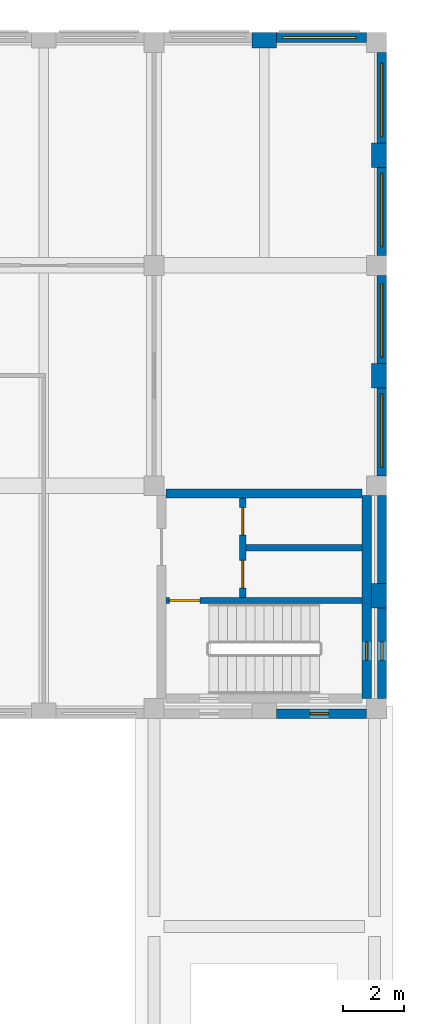
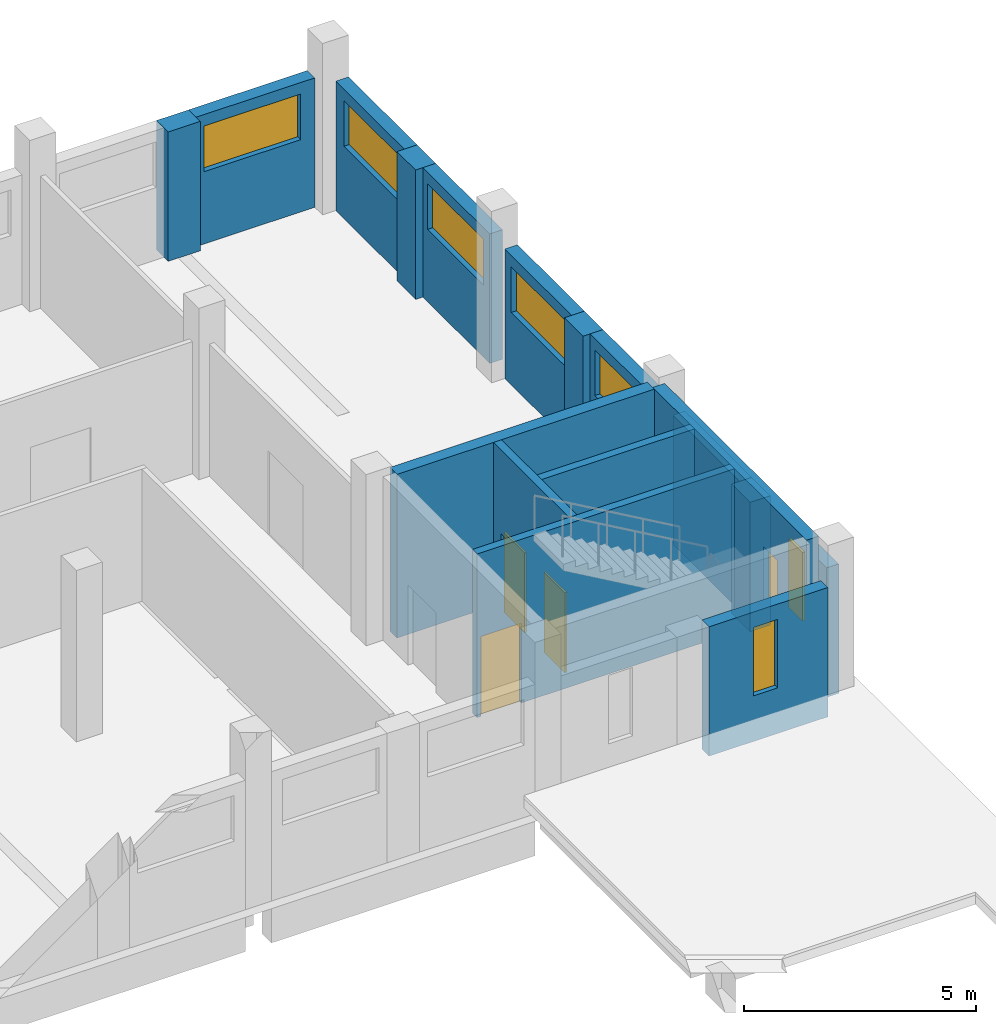
# One storey, part 32 of 59: 17 walls, 8 windows, 3 doors, 11 openings.
"""IFC4 building model written with IfcOpenShell, lengths in metres."""

from ifc_helpers import new_model, si_unit, direction, frame, frame_2d, origin, place, context, subcontext, project, spatial, rectangle, extrude, material, layer, layer_set, type_object, element, fill, save


model = new_model("IFC4")

# Units and contexts
model_context = context("Model", 3, precision=1e-05, world=origin(), true_north=direction((0.0, 1.0)))
body_context = subcontext(model_context, "Body", "Model", "MODEL_VIEW")
ifc_project = project(units=[si_unit("LENGTHUNIT", "METRE"), si_unit("AREAUNIT", "SQUARE_METRE"), si_unit("VOLUMEUNIT", "CUBIC_METRE"), si_unit("PLANEANGLEUNIT", "RADIAN"), si_unit("MASSUNIT", "GRAM", prefix="KILO")], contexts=[model_context])

# Site, building, storey
site_placement = place(None, origin())
site = spatial("IfcSite", under=ifc_project, at=site_placement, CompositionType="ELEMENT")
building_placement = place(site_placement, origin())
building = spatial("IfcBuilding", under=site, at=building_placement, Name="Ussher Court Research Institute", CompositionType="ELEMENT")
storey_placement = place(building_placement, frame((0.0, 0.0, 5.39990234375)))
storey = spatial("IfcBuildingStorey", under=building, at=storey_placement, Name="L01", CompositionType="ELEMENT", Elevation=5.39990234375)

# Wall, opening, window
ifc_material_1 = material(Name="Faience facing on insulated blockwork", Category="masonry")
ifc_layer_1 = layer(ifc_material_1, 0.320068359375)
ifc_layer_set_1 = layer_set([ifc_layer_1], Name="Faience facing on insulated blockwork")
wall_type_1 = type_object("IfcWallType", Name="Clean-room wall 320 faience faced insulated panel", PredefinedType="SOLIDWALL", material=ifc_layer_set_1)
wall_1_placement = place(storey_placement, frame((100.60009765625, 90.639892578125, 0.0), z_axis=(0.0, 0.0, 1.0), x_axis=(1.0, 0.0, 0.0)))
wall_1 = element("IfcWall", 1, at=wall_1_placement, inside=storey, type_object=wall_type_1, Name="External wall EW3 L01", PredefinedType="SOLIDWALL", context=body_context, shape_type="SweptSolid", body=[
    extrude(rectangle(XDim=2.949951171875, YDim=0.320068359375, at=frame_2d((1.47509765625, 0.0))), origin(), (0.0, 0.0, 1.0), 3.400146484375),
])
opening_1_placement = place(wall_1_placement, frame((0.199951171875, 0.0, 1.89990234375)))
opening_1 = element("IfcOpeningElement", 2, at=opening_1_placement, cuts=wall_1, Name="Opening W04", PredefinedType="OPENING", context=body_context, shape_type="SweptSolid", body=[
    extrude(rectangle(XDim=2.39990234375, YDim=1.199951171875, at=frame_2d((1.199951171875, 0.60009765625))), frame((0.0, 0.169921875, 0.0), z_axis=(0.0, -1.0, 0.0), x_axis=(1.0, 0.0, 0.0)), (0.0, 0.0, 1.0), 0.340087890625),
])
ifc_material_2 = material(Name="Bronze anodised aluminium with double glazing", Category="aluminium")
window_type_1 = type_object("IfcWindowType", Name="Clean-room clerestory window 2400x1200", PartitioningType="TRIPLE_PANEL_HORIZONTAL", PredefinedType="WINDOW", material=ifc_material_2)
window_1_placement = place(opening_1_placement, origin())
window_1 = element("IfcWindow", 3, at=window_1_placement, inside=storey, type_object=window_type_1, Name="Window W04 L01", OverallHeight=1.199951171875, OverallWidth=2.39990234375, PartitioningType="SINGLE_PANEL", PredefinedType="WINDOW", context=body_context, shape_type="SweptSolid", body=[
    extrude(rectangle(XDim=2.39990234375, YDim=1.199951171875, at=frame_2d((1.199951171875, 0.60009765625))), frame((0.0, 0.030029296875, 0.0), z_axis=(0.0, -1.0, 0.0), x_axis=(1.0, 0.0, 0.0)), (0.0, 0.0, 1.0), 0.06005859375),
])
fill(opening_1, window_1)

wall_2_placement = place(storey_placement, frame((104.0400390625, 90.14990234375, 0.0), z_axis=(0.0, 0.0, 1.0), x_axis=(0.0, -1.0, 0.0)))
wall_2 = element("IfcWall", 4, at=wall_2_placement, inside=storey, type_object=wall_type_1, Name="External wall EW3 L01", PredefinedType="SOLIDWALL", context=body_context, shape_type="SweptSolid", body=[
    extrude(rectangle(XDim=2.949951171875, YDim=0.320068359375, at=frame_2d((1.47509765625, 0.0))), origin(), (0.0, 0.0, 1.0), 3.400146484375),
])
opening_2_placement = place(wall_2_placement, frame((0.35009765625, 0.0, 1.89990234375)))
opening_2 = element("IfcOpeningElement", 5, at=opening_2_placement, cuts=wall_2, Name="Opening W04", PredefinedType="OPENING", context=body_context, shape_type="SweptSolid", body=[
    extrude(rectangle(XDim=2.39990234375, YDim=1.199951171875, at=frame_2d((1.199951171875, 0.60009765625))), frame((0.0, 0.169921875, 0.0), z_axis=(0.0, -1.0, 0.0), x_axis=(1.0, 0.0, 0.0)), (0.0, 0.0, 1.0), 0.340087890625),
])
window_2_placement = place(opening_2_placement, origin())
window_2 = element("IfcWindow", 6, at=window_2_placement, inside=storey, type_object=window_type_1, Name="Window W04 L01", OverallHeight=1.199951171875, OverallWidth=2.39990234375, PartitioningType="SINGLE_PANEL", PredefinedType="WINDOW", context=body_context, shape_type="SweptSolid", body=[
    extrude(rectangle(XDim=2.39990234375, YDim=1.199951171875, at=frame_2d((1.199951171875, 0.60009765625))), frame((0.0, 0.030029296875, 0.0), z_axis=(0.0, -1.0, 0.0), x_axis=(1.0, 0.0, 0.0)), (0.0, 0.0, 1.0), 0.06005859375),
])
fill(opening_2, window_2)

wall_3_placement = place(storey_placement, frame((104.0400390625, 86.39990234375, 0.0), z_axis=(0.0, 0.0, 1.0), x_axis=(0.0, -1.0, 0.0)))
wall_3 = element("IfcWall", 7, at=wall_3_placement, inside=storey, type_object=wall_type_1, Name="External wall EW3 L01", PredefinedType="SOLIDWALL", context=body_context, shape_type="SweptSolid", body=[
    extrude(rectangle(XDim=2.875, YDim=0.320068359375, at=frame_2d((1.4375, 0.0))), origin(), (0.0, 0.0, 1.0), 3.400146484375),
])
opening_3_placement = place(wall_3_placement, frame((0.199951171875, 0.0, 1.89990234375)))
opening_3 = element("IfcOpeningElement", 8, at=opening_3_placement, cuts=wall_3, Name="Opening W04", PredefinedType="OPENING", context=body_context, shape_type="SweptSolid", body=[
    extrude(rectangle(XDim=2.39990234375, YDim=1.199951171875, at=frame_2d((1.199951171875, 0.60009765625))), frame((0.0, 0.169921875, 0.0), z_axis=(0.0, -1.0, 0.0), x_axis=(1.0, 0.0, 0.0)), (0.0, 0.0, 1.0), 0.340087890625),
])
window_3_placement = place(opening_3_placement, origin())
window_3 = element("IfcWindow", 9, at=window_3_placement, inside=storey, type_object=window_type_1, Name="Window W04 L01", OverallHeight=1.199951171875, OverallWidth=2.39990234375, PartitioningType="SINGLE_PANEL", PredefinedType="WINDOW", context=body_context, shape_type="SweptSolid", body=[
    extrude(rectangle(XDim=2.39990234375, YDim=1.199951171875, at=frame_2d((1.199951171875, 0.60009765625))), frame((0.0, 0.030029296875, 0.0), z_axis=(0.0, -1.0, 0.0), x_axis=(1.0, 0.0, 0.0)), (0.0, 0.0, 1.0), 0.06005859375),
])
fill(opening_3, window_3)

wall_4_placement = place(storey_placement, frame((104.0400390625, 82.875, 0.0), z_axis=(0.0, 0.0, 1.0), x_axis=(0.0, -1.0, 0.0)))
wall_4 = element("IfcWall", 10, at=wall_4_placement, inside=storey, type_object=wall_type_1, Name="External wall EW3 L01", PredefinedType="SOLIDWALL", context=body_context, shape_type="SweptSolid", body=[
    extrude(rectangle(XDim=2.875, YDim=0.320068359375, at=frame_2d((1.4375, 0.0))), origin(), (0.0, 0.0, 1.0), 3.400146484375),
])
opening_4_placement = place(wall_4_placement, frame((0.27490234375, 0.0, 1.89990234375)))
opening_4 = element("IfcOpeningElement", 11, at=opening_4_placement, cuts=wall_4, Name="Opening W04", PredefinedType="OPENING", context=body_context, shape_type="SweptSolid", body=[
    extrude(rectangle(XDim=2.39990234375, YDim=1.199951171875, at=frame_2d((1.199951171875, 0.60009765625))), frame((0.0, 0.169921875, 0.0), z_axis=(0.0, -1.0, 0.0), x_axis=(1.0, 0.0, 0.0)), (0.0, 0.0, 1.0), 0.340087890625),
])
window_4_placement = place(opening_4_placement, origin())
window_4 = element("IfcWindow", 12, at=window_4_placement, inside=storey, type_object=window_type_1, Name="Window W04 L01", OverallHeight=1.199951171875, OverallWidth=2.39990234375, PartitioningType="SINGLE_PANEL", PredefinedType="WINDOW", context=body_context, shape_type="SweptSolid", body=[
    extrude(rectangle(XDim=2.39990234375, YDim=1.199951171875, at=frame_2d((1.199951171875, 0.60009765625))), frame((0.0, 0.030029296875, 0.0), z_axis=(0.0, -1.0, 0.0), x_axis=(1.0, 0.0, 0.0)), (0.0, 0.0, 1.0), 0.06005859375),
])
fill(opening_4, window_4)

wall_5_placement = place(storey_placement, frame((104.0400390625, 79.199951171875, 0.0), z_axis=(0.0, 0.0, 1.0), x_axis=(0.0, -1.0, 0.0)))
wall_5 = element("IfcWall", 13, at=wall_5_placement, inside=storey, type_object=wall_type_1, Name="External wall EW3 L01", PredefinedType="SOLIDWALL", context=body_context, shape_type="SweptSolid", body=[
    extrude(rectangle(XDim=2.875, YDim=0.320068359375, at=frame_2d((1.4375, 0.0))), origin(), (0.0, 0.0, 1.0), 3.400146484375),
])
opening_5_placement = place(wall_5_placement, frame((0.199951171875, 0.0, 1.89990234375)))
opening_5 = element("IfcOpeningElement", 14, at=opening_5_placement, cuts=wall_5, Name="Opening W04", PredefinedType="OPENING", context=body_context, shape_type="SweptSolid", body=[
    extrude(rectangle(XDim=2.39990234375, YDim=1.199951171875, at=frame_2d((1.199951171875, 0.60009765625))), frame((0.0, 0.169921875, 0.0), z_axis=(0.0, -1.0, 0.0), x_axis=(1.0, 0.0, 0.0)), (0.0, 0.0, 1.0), 0.340087890625),
])
window_5_placement = place(opening_5_placement, origin())
window_5 = element("IfcWindow", 15, at=window_5_placement, inside=storey, type_object=window_type_1, Name="Window W04 L01", OverallHeight=1.199951171875, OverallWidth=2.39990234375, PartitioningType="SINGLE_PANEL", PredefinedType="WINDOW", context=body_context, shape_type="SweptSolid", body=[
    extrude(rectangle(XDim=2.39990234375, YDim=1.199951171875, at=frame_2d((1.199951171875, 0.60009765625))), frame((0.0, 0.030029296875, 0.0), z_axis=(0.0, -1.0, 0.0), x_axis=(1.0, 0.0, 0.0)), (0.0, 0.0, 1.0), 0.06005859375),
])
fill(opening_5, window_5)

# Wall
ifc_material_3 = material(Name="Limestone facing on blockwork", Category="masonry")
ifc_layer_2 = layer(ifc_material_3, 0.300048828125)
ifc_layer_set_2 = layer_set([ifc_layer_2], Name="Limestone facing on blockwork")
wall_type_2 = type_object("IfcWallType", Name="External wall 300 stair enclosure", PredefinedType="SOLIDWALL", material=ifc_layer_set_2)
wall_6_placement = place(storey_placement, frame((104.050048828125, 75.675048828125, 0.0), z_axis=(0.0, 0.0, 1.0), x_axis=(0.0, -1.0, 0.0)))
element("IfcWall", 16, at=wall_6_placement, inside=storey, type_object=wall_type_2, Name="External wall EW5 L01", PredefinedType="SOLIDWALL", context=body_context, shape_type="SweptSolid", body=[
    extrude(rectangle(XDim=2.875, YDim=0.300048828125, at=frame_2d((1.4375, 0.0))), origin(), (0.0, 0.0, 1.0), 3.400146484375),
])

# Wall, opening, window
wall_7_placement = place(storey_placement, frame((104.050048828125, 72.0, 0.0), z_axis=(0.0, 0.0, 1.0), x_axis=(0.0, -1.0, 0.0)))
wall_7 = element("IfcWall", 17, at=wall_7_placement, inside=storey, type_object=wall_type_2, Name="External wall EW5 L01", PredefinedType="SOLIDWALL", context=body_context, shape_type="SweptSolid", body=[
    extrude(rectangle(XDim=2.949951171875, YDim=0.300048828125, at=frame_2d((1.47509765625, 0.0))), origin(), (0.0, 0.0, 1.0), 3.400146484375),
])
opening_6_placement = place(wall_7_placement, frame((1.10009765625, 0.0, 1.199951171875)))
opening_6 = element("IfcOpeningElement", 18, at=opening_6_placement, cuts=wall_7, Name="Opening W25", PredefinedType="OPENING", context=body_context, shape_type="SweptSolid", body=[
    extrude(rectangle(XDim=0.60009765625, YDim=1.800048828125, at=frame_2d((0.300048828125, 0.89990234375))), frame((0.0, 0.16015625, 0.0), z_axis=(0.0, -1.0, 0.0), x_axis=(1.0, 0.0, 0.0)), (0.0, 0.0, 1.0), 0.320068359375),
])
ifc_material_4 = material(Name="Bronze anodised aluminium with double glazing", Category="aluminium")
window_type_2 = type_object("IfcWindowType", Name="Stair light slot window 600x1800 fire-resisting glazing", PartitioningType="SINGLE_PANEL", PredefinedType="WINDOW", material=ifc_material_4)
window_6_placement = place(opening_6_placement, origin())
window_6 = element("IfcWindow", 19, at=window_6_placement, inside=storey, type_object=window_type_2, Name="Window W25 L01", OverallHeight=1.800048828125, OverallWidth=0.60009765625, PartitioningType="SINGLE_PANEL", PredefinedType="WINDOW", context=body_context, shape_type="SweptSolid", body=[
    extrude(rectangle(XDim=0.60009765625, YDim=1.800048828125, at=frame_2d((0.300048828125, 0.89990234375))), frame((0.0, 0.030029296875, 0.0), z_axis=(0.0, -1.0, 0.0), x_axis=(1.0, 0.0, 0.0)), (0.0, 0.0, 1.0), 0.06005859375),
])
fill(opening_6, window_6)

wall_8_placement = place(storey_placement, frame((103.550048828125, 68.550048828125, 0.0), z_axis=(0.0, 0.0, 1.0), x_axis=(-1.0, 0.0, 0.0)))
wall_8 = element("IfcWall", 20, at=wall_8_placement, inside=storey, type_object=wall_type_2, Name="External wall EW5 L01", PredefinedType="SOLIDWALL", context=body_context, shape_type="SweptSolid", body=[
    extrude(rectangle(XDim=2.949951171875, YDim=0.300048828125, at=frame_2d((1.47509765625, 0.0))), origin(), (0.0, 0.0, 1.0), 3.400146484375),
])
opening_7_placement = place(wall_8_placement, frame((1.25, 0.0, 1.199951171875)))
opening_7 = element("IfcOpeningElement", 21, at=opening_7_placement, cuts=wall_8, Name="Opening W25", PredefinedType="OPENING", context=body_context, shape_type="SweptSolid", body=[
    extrude(rectangle(XDim=0.60009765625, YDim=1.800048828125, at=frame_2d((0.300048828125, 0.89990234375))), frame((0.0, 0.16015625, 0.0), z_axis=(0.0, -1.0, 0.0), x_axis=(1.0, 0.0, 0.0)), (0.0, 0.0, 1.0), 0.320068359375),
])
window_7_placement = place(opening_7_placement, origin())
window_7 = element("IfcWindow", 22, at=window_7_placement, inside=storey, type_object=window_type_2, Name="Window W25 L01", OverallHeight=1.800048828125, OverallWidth=0.60009765625, PartitioningType="SINGLE_PANEL", PredefinedType="WINDOW", context=body_context, shape_type="SweptSolid", body=[
    extrude(rectangle(XDim=0.60009765625, YDim=1.800048828125, at=frame_2d((0.300048828125, 0.89990234375))), frame((0.0, 0.030029296875, 0.0), z_axis=(0.0, -1.0, 0.0), x_axis=(1.0, 0.0, 0.0)), (0.0, 0.0, 1.0), 0.06005859375),
])
fill(opening_7, window_7)

# Walls
ifc_material_5 = material(Name="Rusticated limestone facing on blockwork", Category="masonry")
ifc_layer_3 = layer(ifc_material_5, 0.5)
ifc_layer_set_3 = layer_set([ifc_layer_3], Name="Rusticated limestone facing on blockwork")
wall_type_3 = type_object("IfcWallType", Name="Pier 800x500 rusticated limestone", PredefinedType="SOLIDWALL", material=ifc_layer_set_3)
for number, where, z_axis, x_axis, name in (
    (23, (99.800048828125, 90.550048828125, 0.0), (0.0, 0.0, 1.0), (1.0, 0.0, 0.0), "Pier PR2 L01"),
    (24, (103.949951171875, 87.199951171875, 0.0), (0.0, 0.0, 1.0), (0.0, -1.0, 0.0), "Pier PR2 L01"),
    (25, (103.949951171875, 80.0, 0.0), (0.0, 0.0, 1.0), (0.0, -1.0, 0.0), "Pier PR2 L01"),
    (26, (103.949951171875, 72.800048828125, 0.0), (0.0, 0.0, 1.0), (0.0, -1.0, 0.0), "Pier PR2 L01"),
):
    element("IfcWall", number, at=place(storey_placement, frame(where, z_axis=z_axis, x_axis=x_axis)), inside=storey, type_object=wall_type_3, Name=name, PredefinedType="SOLIDWALL", context=body_context, shape_type="SweptSolid", body=[
        extrude(rectangle(XDim=0.800048828125, YDim=0.5, at=frame_2d((0.39990234375, 0.0))), origin(), (0.0, 0.0, 1.0), 3.400146484375),
    ])

# Wall, opening, door
ifc_material_6 = material(Name="Concrete C35/45", Category="concrete")
ifc_layer_4 = layer(ifc_material_6, 0.199951171875)
ifc_layer_set_4 = layer_set([ifc_layer_4], Name="Concrete C35/45")
wall_type_4 = type_object("IfcWallType", Name="RC core wall 200", PredefinedType="SHEAR", material=ifc_layer_set_4)
wall_9_placement = place(storey_placement, frame((103.39990234375, 72.25, 0.0), z_axis=(0.0, 0.0, 1.0), x_axis=(-1.0, 0.0, 0.0)))
wall_9 = element("IfcWall", 27, at=wall_9_placement, inside=storey, type_object=wall_type_4, Name="Core wall C2", PredefinedType="SHEAR", context=body_context, shape_type="SweptSolid", body=[
    extrude(rectangle(XDim=6.39990234375, YDim=0.199951171875, at=frame_2d((3.199951171875, 0.0))), origin(), (0.0, 0.0, 1.0), 4.300048828125),
])
opening_8_placement = place(wall_9_placement, frame((5.300048828125, 0.0, 0.0)))
opening_8 = element("IfcOpeningElement", 28, at=opening_8_placement, cuts=wall_9, Name="Opening D01080", PredefinedType="OPENING", context=body_context, shape_type="SweptSolid", body=[
    extrude(rectangle(XDim=1.0, YDim=2.10009765625, at=frame_2d((0.5, 1.050048828125))), frame((0.0, 0.10986328125, 0.0), z_axis=(0.0, -1.0, 0.0), x_axis=(1.0, 0.0, 0.0)), (0.0, 0.0, 1.0), 0.219970703125),
])
ifc_material_7 = material(Name="Painted steel faced fire door", Category="steel")
door_type_1 = type_object("IfcDoorType", Name="Fire door 1000x2100 FD60", OperationType="NOTDEFINED", PredefinedType="DOOR", material=ifc_material_7)
door_1_placement = place(opening_8_placement, origin())
door_1 = element("IfcDoor", 29, at=door_1_placement, inside=storey, type_object=door_type_1, Name="Door D01080", OperationType="SINGLE_SWING_RIGHT", OverallHeight=2.10009765625, OverallWidth=1.0, PredefinedType="DOOR", context=body_context, shape_type="SweptSolid", body=[
    extrude(rectangle(XDim=1.0, YDim=2.10009765625, at=frame_2d((0.5, 1.050048828125))), frame((0.0, 0.02490234375, 0.0), z_axis=(0.0, -1.0, 0.0), x_axis=(1.0, 0.0, 0.0)), (0.0, 0.0, 1.0), 0.050048828125),
])
fill(opening_8, door_1)

# Wall, openings, doors
wall_10_placement = place(storey_placement, frame((99.5, 72.35009765625, 0.0), z_axis=(0.0, 0.0, 1.0), x_axis=(0.0, 1.0, 0.0)))
wall_10 = element("IfcWall", 30, at=wall_10_placement, inside=storey, type_object=wall_type_4, Name="Core wall C2", PredefinedType="SHEAR", context=body_context, shape_type="SweptSolid", body=[
    extrude(rectangle(XDim=3.25, YDim=0.199951171875, at=frame_2d((1.625, 0.0))), origin(), (0.0, 0.0, 1.0), 4.300048828125),
])
opening_9_placement = place(wall_10_placement, frame((0.3125, 0.0, 0.0)))
opening_9 = element("IfcOpeningElement", 31, at=opening_9_placement, cuts=wall_10, Name="Opening D01081", PredefinedType="OPENING", context=body_context, shape_type="SweptSolid", body=[
    extrude(rectangle(XDim=0.89990234375, YDim=2.10009765625, at=frame_2d((0.449951171875, 1.050048828125))), frame((0.0, 0.10986328125, 0.0), z_axis=(0.0, -1.0, 0.0), x_axis=(1.0, 0.0, 0.0)), (0.0, 0.0, 1.0), 0.219970703125),
])
opening_10_placement = place(wall_10_placement, frame((2.03759765625, 0.0, 0.0)))
opening_10 = element("IfcOpeningElement", 32, at=opening_10_placement, cuts=wall_10, Name="Opening D01082", PredefinedType="OPENING", context=body_context, shape_type="SweptSolid", body=[
    extrude(rectangle(XDim=0.89990234375, YDim=2.10009765625, at=frame_2d((0.449951171875, 1.050048828125))), frame((0.0, 0.10986328125, 0.0), z_axis=(0.0, -1.0, 0.0), x_axis=(1.0, 0.0, 0.0)), (0.0, 0.0, 1.0), 0.219970703125),
])
ifc_material_8 = material(Name="Painted steel faced fire door", Category="steel")
door_type_2 = type_object("IfcDoorType", Name="Fire door 900x2100 FD60", OperationType="NOTDEFINED", PredefinedType="DOOR", material=ifc_material_8)
door_2_placement = place(opening_9_placement, origin())
door_2 = element("IfcDoor", 33, at=door_2_placement, inside=storey, type_object=door_type_2, Name="Door D01081", OperationType="SINGLE_SWING_LEFT", OverallHeight=2.10009765625, OverallWidth=0.89990234375, PredefinedType="DOOR", context=body_context, shape_type="SweptSolid", body=[
    extrude(rectangle(XDim=0.89990234375, YDim=2.10009765625, at=frame_2d((0.449951171875, 1.050048828125))), frame((0.0, 0.02490234375, 0.0), z_axis=(0.0, -1.0, 0.0), x_axis=(1.0, 0.0, 0.0)), (0.0, 0.0, 1.0), 0.050048828125),
])
fill(opening_9, door_2)
door_3_placement = place(opening_10_placement, origin())
door_3 = element("IfcDoor", 34, at=door_3_placement, inside=storey, type_object=door_type_2, Name="Door D01082", OperationType="SINGLE_SWING_RIGHT", OverallHeight=2.10009765625, OverallWidth=0.89990234375, PredefinedType="DOOR", context=body_context, shape_type="SweptSolid", body=[
    extrude(rectangle(XDim=0.89990234375, YDim=2.10009765625, at=frame_2d((0.449951171875, 1.050048828125))), frame((0.0, 0.02490234375, 0.0), z_axis=(0.0, -1.0, 0.0), x_axis=(1.0, 0.0, 0.0)), (0.0, 0.0, 1.0), 0.050048828125),
])
fill(opening_10, door_3)

# Wall
wall_11_placement = place(storey_placement, frame((99.60009765625, 73.97509765625, 0.0), z_axis=(0.0, 0.0, 1.0), x_axis=(1.0, 0.0, 0.0)))
element("IfcWall", 35, at=wall_11_placement, inside=storey, type_object=wall_type_4, Name="Core wall C2", PredefinedType="SHEAR", context=body_context, shape_type="SweptSolid", body=[
    extrude(rectangle(XDim=3.7998046875, YDim=0.199951171875, at=frame_2d((1.89990234375, 0.0))), origin(), (0.0, 0.0, 1.0), 4.300048828125),
])

# Wall, opening, window
ifc_material_9 = material(Name="Concrete C35/45", Category="concrete")
ifc_layer_5 = layer(ifc_material_9, 0.300048828125)
ifc_layer_set_5 = layer_set([ifc_layer_5], Name="Concrete C35/45")
wall_type_5 = type_object("IfcWallType", Name="RC core wall 300", PredefinedType="SHEAR", material=ifc_layer_set_5)
wall_12_placement = place(storey_placement, frame((103.550048828125, 69.050048828125, 0.0), z_axis=(0.0, 0.0, 1.0), x_axis=(0.0, 1.0, 0.0)))
wall_12 = element("IfcWall", 36, at=wall_12_placement, inside=storey, type_object=wall_type_5, Name="Core wall C2", PredefinedType="SHEAR", context=body_context, shape_type="SweptSolid", body=[
    extrude(rectangle(XDim=6.625, YDim=0.300048828125, at=frame_2d((3.3125, 0.0))), origin(), (0.0, 0.0, 1.0), 4.300048828125),
])
opening_11_placement = place(wall_12_placement, frame((1.25, 0.0, 1.199951171875)))
opening_11 = element("IfcOpeningElement", 37, at=opening_11_placement, cuts=wall_12, Name="Opening W25", PredefinedType="OPENING", context=body_context, shape_type="SweptSolid", body=[
    extrude(rectangle(XDim=0.60009765625, YDim=1.800048828125, at=frame_2d((0.300048828125, 0.89990234375))), frame((0.0, 0.16015625, 0.0), z_axis=(0.0, -1.0, 0.0), x_axis=(1.0, 0.0, 0.0)), (0.0, 0.0, 1.0), 0.320068359375),
])
window_8_placement = place(opening_11_placement, origin())
window_8 = element("IfcWindow", 38, at=window_8_placement, inside=storey, type_object=window_type_2, Name="Window stair light C2 L01", OverallHeight=1.800048828125, OverallWidth=0.60009765625, PartitioningType="SINGLE_PANEL", PredefinedType="WINDOW", context=body_context, shape_type="SweptSolid", body=[
    extrude(rectangle(XDim=0.60009765625, YDim=1.800048828125, at=frame_2d((0.300048828125, 0.89990234375))), frame((0.0, 0.030029296875, 0.0), z_axis=(0.0, -1.0, 0.0), x_axis=(1.0, 0.0, 0.0)), (0.0, 0.0, 1.0), 0.06005859375),
])
fill(opening_11, window_8)

# Wall
wall_13_placement = place(storey_placement, frame((97.0, 75.75, 0.0), z_axis=(0.0, 0.0, 1.0), x_axis=(1.0, 0.0, 0.0)))
element("IfcWall", 39, at=wall_13_placement, inside=storey, type_object=wall_type_5, Name="Core wall C2", PredefinedType="SHEAR", context=body_context, shape_type="SweptSolid", body=[
    extrude(rectangle(XDim=6.39990234375, YDim=0.300048828125, at=frame_2d((3.199951171875, 0.0))), origin(), (0.0, 0.0, 1.0), 4.300048828125),
])

save(model, "model.ifc")
